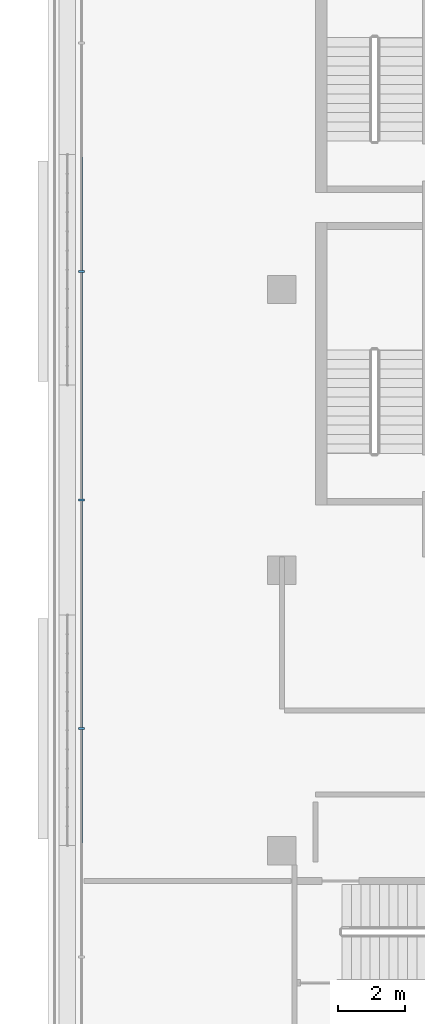
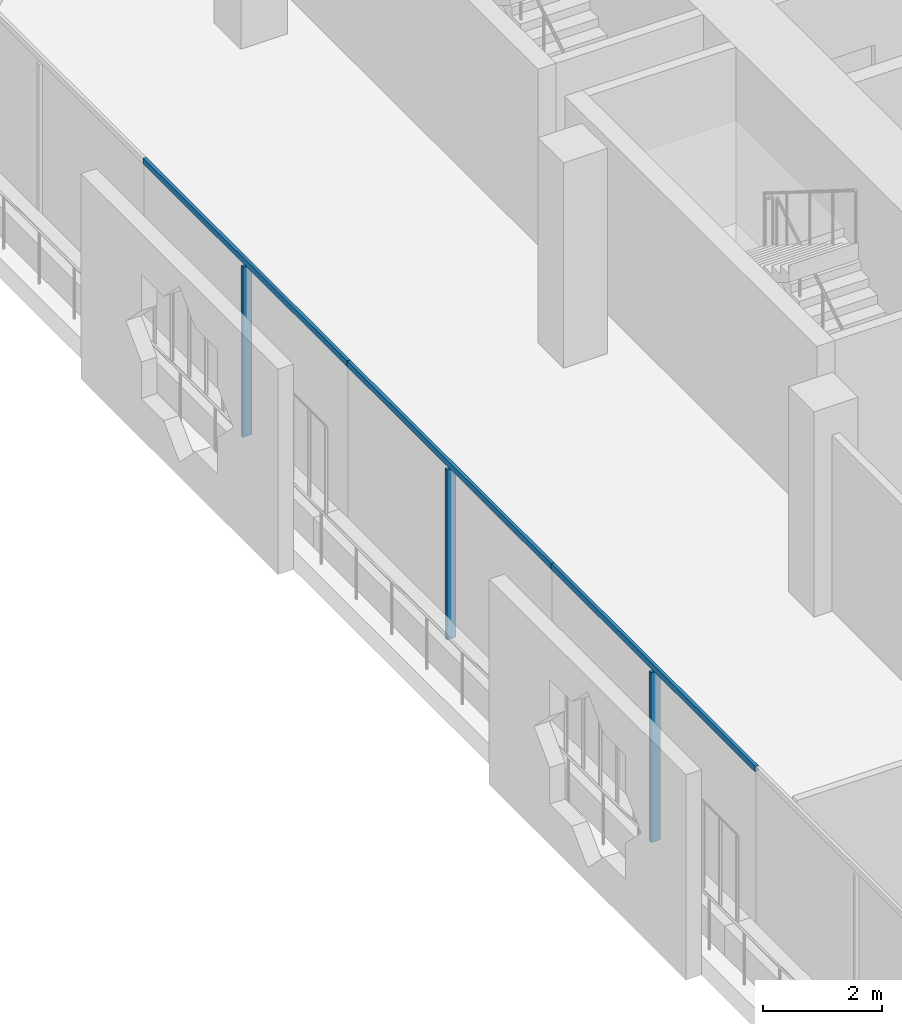
# One storey, part 3 of 21: 6 members, 1 element without a shape of its own.
"""IFC4 building model written with IfcOpenShell, lengths in metres."""

from ifc_helpers import new_model, si_unit, direction, frame, origin, origin_2d, place, context, subcontext, project, spatial, rectangle, extrude, material, layer, layer_set, material_profile, profile_set, type_object, element, aggregate, save


model = new_model("IFC4")

# Units and contexts
model_context = context("Model", 3, precision=1e-05, world=origin(), true_north=direction((0.0, 1.0)))
body_context = subcontext(model_context, "Body", "Model", "MODEL_VIEW")
ifc_project = project(units=[si_unit("LENGTHUNIT", "METRE"), si_unit("AREAUNIT", "SQUARE_METRE"), si_unit("VOLUMEUNIT", "CUBIC_METRE"), si_unit("PLANEANGLEUNIT", "RADIAN"), si_unit("MASSUNIT", "GRAM", prefix="KILO")], contexts=[model_context])

# Site, building, storey
site_placement = place(None, origin())
site = spatial("IfcSite", under=ifc_project, at=site_placement, CompositionType="ELEMENT")
building_placement = place(site_placement, origin())
building = spatial("IfcBuilding", under=site, at=building_placement, Name="Kawkab Arch Medical Tower", CompositionType="ELEMENT")
storey_placement = place(building_placement, frame((0.0, 0.0, 234.800048828125)))
storey = spatial("IfcBuildingStorey", under=building, at=storey_placement, Name="L54", CompositionType="ELEMENT", Elevation=234.800048828125)

# Curtain wall, members
ifc_material_1 = material(Name="Bronze anodised aluminium curtain wall frame", Category="aluminium")
ifc_layer = layer(ifc_material_1, 0.159912109375)
ifc_layer_set = layer_set([ifc_layer], Name="Bronze anodised aluminium curtain wall frame")
curtain_wall_type = type_object("IfcCurtainWallType", Name="CW1 ward curtain wall", PredefinedType="NOTDEFINED", material=ifc_layer_set)
curtain_wall_placement = place(storey_placement, origin())
curtain_wall = element("IfcCurtainWall", 1, at=curtain_wall_placement, inside=storey, type_object=curtain_wall_type, Name="CW1 Ward curtain wall R01", PredefinedType="NOTDEFINED")
ifc_material_2 = material(Name="Bronze anodised aluminium curtain wall frame", Category="aluminium")
ifc_material_profile_1 = material_profile(ifc_material_2, rectangle(XDim=0.179931640625, YDim=0.06005859375, at=origin_2d()), Name="AL 60x180")
ifc_profile_set_1 = profile_set([ifc_material_profile_1], Name="Bronze anodised aluminium curtain wall frame")
member_type_1 = type_object("IfcMemberType", Name="CW1 mullion 60 x 180", PredefinedType="MULLION", material=ifc_profile_set_1)
member_1_placement = place(storey_placement, frame((-6.0, -16.260009765625, 0.0), z_axis=(0.0, 0.0, 1.0), x_axis=(1.0, 0.0, 0.0)))
member_1 = element("IfcMember", 2, at=member_1_placement, type_object=member_type_1, Name="CW1 mullion 2.1", PredefinedType="MULLION", context=body_context, shape_type="SweptSolid", body=[
    extrude(rectangle(XDim=0.179931640625, YDim=0.06005859375, at=origin_2d()), origin(), (0.0, 0.0, 1.0), 3.47998046875),
])
member_2_placement = place(storey_placement, frame((-6.0, -23.10009765625, 0.0), z_axis=(0.0, 0.0, 1.0), x_axis=(1.0, 0.0, 0.0)))
member_2 = element("IfcMember", 3, at=member_2_placement, type_object=member_type_1, Name="CW1 mullion 3.1", PredefinedType="MULLION", context=body_context, shape_type="SweptSolid", body=[
    extrude(rectangle(XDim=0.179931640625, YDim=0.06005859375, at=origin_2d()), origin(), (0.0, 0.0, 1.0), 3.47998046875),
])
member_3_placement = place(storey_placement, frame((-6.0, -29.93994140625, 0.0), z_axis=(0.0, 0.0, 1.0), x_axis=(1.0, 0.0, 0.0)))
member_3 = element("IfcMember", 4, at=member_3_placement, type_object=member_type_1, Name="CW1 mullion 4.1", PredefinedType="MULLION", context=body_context, shape_type="SweptSolid", body=[
    extrude(rectangle(XDim=0.179931640625, YDim=0.06005859375, at=origin_2d()), origin(), (0.0, 0.0, 1.0), 3.47998046875),
])
ifc_material_3 = material(Name="Bronze anodised aluminium curtain wall frame", Category="aluminium")
ifc_material_profile_2 = material_profile(ifc_material_3, rectangle(XDim=0.06005859375, YDim=0.1201171875, at=origin_2d()), Name="AL 60x120")
ifc_profile_set_2 = profile_set([ifc_material_profile_2], Name="Bronze anodised aluminium curtain wall frame")
member_type_2 = type_object("IfcMemberType", Name="CW1 transom 120 x 60", PredefinedType="USERDEFINED", material=ifc_profile_set_2)
member_4_placement = place(storey_placement, frame((-6.0, -12.840087890625, 3.5400390625), z_axis=(0.0, -1.0, 0.0), x_axis=(1.0, 0.0, 0.0)))
member_4 = element("IfcMember", 5, at=member_4_placement, type_object=member_type_2, Name="CW1 transom 2", ObjectType="TRANSOM", PredefinedType="USERDEFINED", context=body_context, shape_type="SweptSolid", body=[
    extrude(rectangle(XDim=0.06005859375, YDim=0.1201171875, at=origin_2d()), origin(), (0.0, 0.0, 1.0), 6.83984375),
])
member_5_placement = place(storey_placement, frame((-6.0, -19.679931640625, 3.5400390625), z_axis=(0.0, -1.0, 0.0), x_axis=(1.0, 0.0, 0.0)))
member_5 = element("IfcMember", 6, at=member_5_placement, type_object=member_type_2, Name="CW1 transom 3", ObjectType="TRANSOM", PredefinedType="USERDEFINED", context=body_context, shape_type="SweptSolid", body=[
    extrude(rectangle(XDim=0.06005859375, YDim=0.1201171875, at=origin_2d()), origin(), (0.0, 0.0, 1.0), 6.840087890625),
])
member_6_placement = place(storey_placement, frame((-6.0, -26.52001953125, 3.5400390625), z_axis=(0.0, -1.0, 0.0), x_axis=(1.0, 0.0, 0.0)))
member_6 = element("IfcMember", 7, at=member_6_placement, type_object=member_type_2, Name="CW1 transom 4", ObjectType="TRANSOM", PredefinedType="USERDEFINED", context=body_context, shape_type="SweptSolid", body=[
    extrude(rectangle(XDim=0.06005859375, YDim=0.1201171875, at=origin_2d()), origin(), (0.0, 0.0, 1.0), 6.840087890625),
])
aggregate(curtain_wall, [member_4, member_1, member_5, member_2, member_6, member_3])

save(model, "model.ifc")
